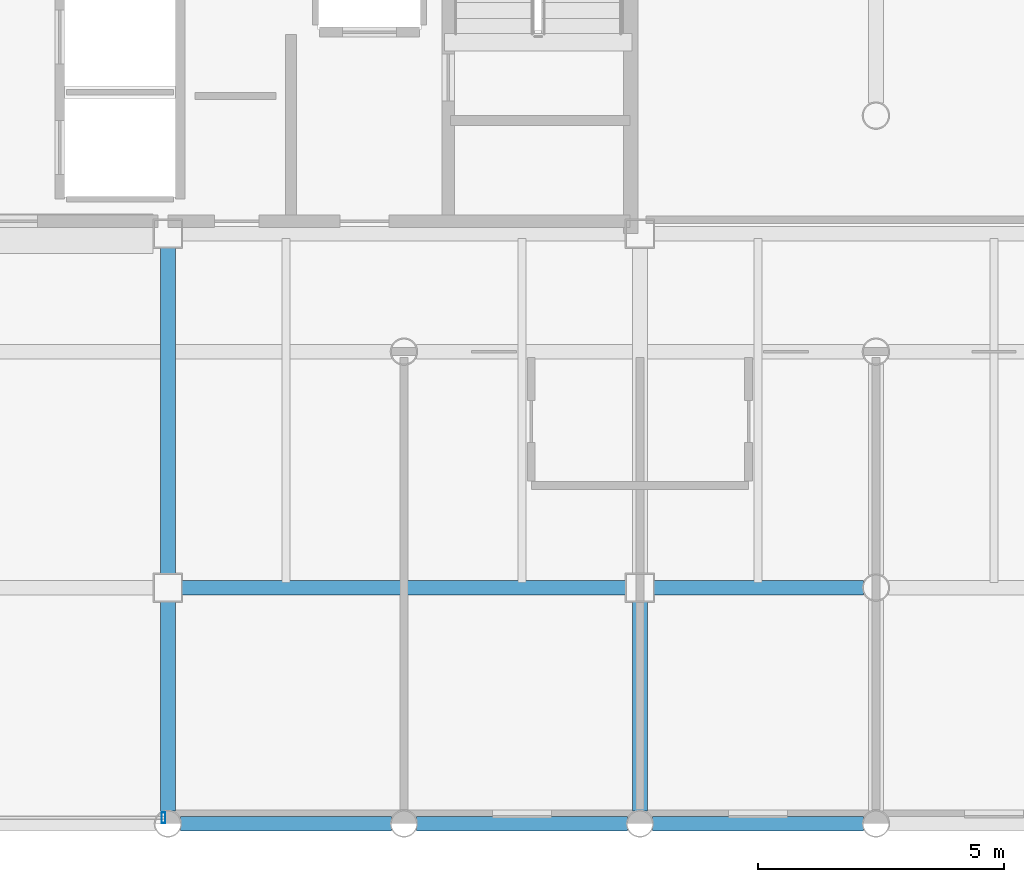
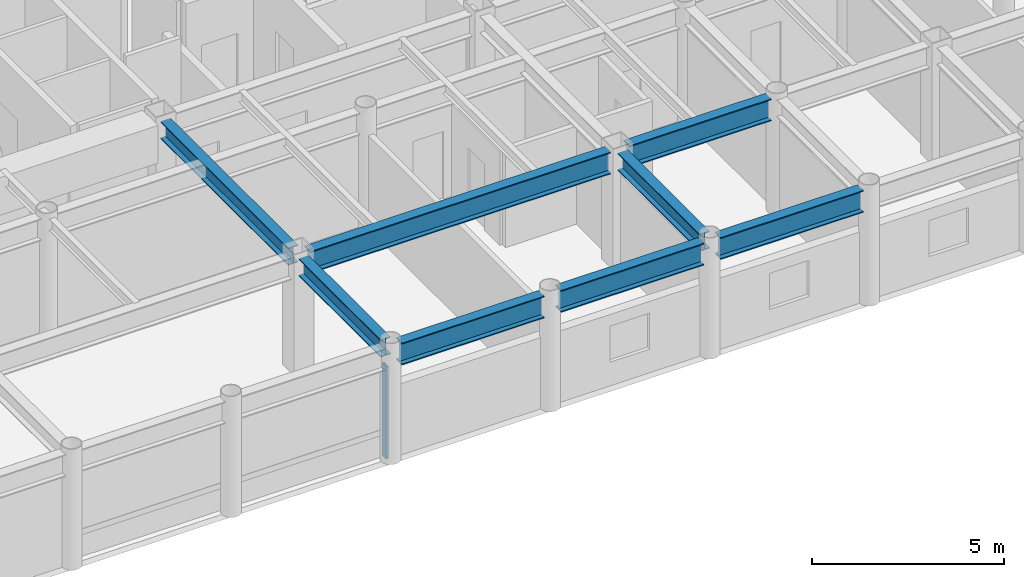
# One storey, part 8 of 22: 8 beams, 1 member, 1 element without a shape of its own.
"""IFC4 building model written with IfcOpenShell, lengths in metres."""

import ifcopenshell
import ifcopenshell.guid

model = None  # the IFC model being written
_history = None  # IfcOwnerHistory: only IFC2X3 demands one
_inside = {}  # id of a spatial element -> (the spatial element, [elements in it])
_under = {}  # id of a project, library or spatial element -> (it, [spatial elements below it])
_declared = {}  # id of a project -> (the project, [libraries it declares])
_typed = {}  # id of a type object -> (the type object, [elements of that type])
_made_of = {}  # id of a material, layer set ... -> (it, [elements and type objects made of it])


def new_model(schema):
    """Start an empty IFC model of exactly this schema.

    Asked for "IFC4X3", IfcOpenShell would pick the latest addendum, in which some entities
    have other attributes; the version numbers below select the first issue.
    IFC2X3 requires an IfcOwnerHistory on every rooted entity: one is made here for all.
    """
    global model, _history
    if schema == "IFC4X3":
        model = ifcopenshell.file(schema_version=(4, 3, 0, 0))
    else:
        model = ifcopenshell.file(schema=schema)
    _inside.clear()
    _under.clear()
    _declared.clear()
    _typed.clear()
    _made_of.clear()
    _history = None
    if model.schema == "IFC2X3":
        org = make("IfcOrganization", Name="unknown")
        user = make(
            "IfcPersonAndOrganization",
            ThePerson=make("IfcPerson", FamilyName="unknown"),
            TheOrganization=org,
        )
        app = make(
            "IfcApplication",
            ApplicationDeveloper=org,
            Version="unknown",
            ApplicationFullName="unknown",
            ApplicationIdentifier="unknown",
        )
        _history = make(
            "IfcOwnerHistory",
            OwningUser=user,
            OwningApplication=app,
            ChangeAction="ADDED",
            CreationDate=0,
        )
    return model


def make(cls, **values):
    """One entity of the class cls with the attributes given. An attribute that is None is left unset."""
    return model.create_entity(
        cls, **{name: value for name, value in values.items() if value is not None}
    )


def rooted(cls, **values):
    """An entity with a GlobalId (a new one), such as an element, a storey or a relation."""
    return make(cls, GlobalId=ifcopenshell.guid.new(), OwnerHistory=_history, **values)


def si_unit(unit_type, name, prefix=None):
    """IfcSIUnit, for example si_unit("LENGTHUNIT", "METRE", prefix="MILLI")."""
    return make("IfcSIUnit", UnitType=unit_type, Prefix=prefix, Name=name)


def assignment(units):
    """IfcUnitAssignment: the units of a project."""
    return None if units is None else make("IfcUnitAssignment", Units=units)


def point(xyz):
    """IfcCartesianPoint."""
    return None if xyz is None else make("IfcCartesianPoint", Coordinates=xyz)


def direction(xyz):
    """IfcDirection."""
    return None if xyz is None else make("IfcDirection", DirectionRatios=xyz)


def frame(location, z_axis=None, x_axis=None):
    """IfcAxis2Placement3D, a coordinate frame: its origin and axes. An axis left out is left unset."""
    return make(
        "IfcAxis2Placement3D",
        Location=point(location),
        Axis=direction(z_axis),
        RefDirection=direction(x_axis),
    )


def frame_2d(location, x_axis=None):
    """IfcAxis2Placement2D, a coordinate frame in the plane: its origin and x axis."""
    return make(
        "IfcAxis2Placement2D", Location=point(location), RefDirection=direction(x_axis)
    )


def origin():
    """The frame at (0, 0, 0) with its axes left unset."""
    return frame((0.0, 0.0, 0.0))


def origin_2d():
    """The frame at (0, 0) in the plane with its x axis left unset."""
    return frame_2d((0.0, 0.0))


def place(relative_to, where):
    """IfcLocalPlacement: puts the frame where relative to a parent placement (None: the world)."""
    return make(
        "IfcLocalPlacement", PlacementRelTo=relative_to, RelativePlacement=where
    )


def context(
    kind, dimensions, precision=None, world=None, true_north=None, identifier=None
):
    """IfcGeometricRepresentationContext, for example the 3D "Model" context."""
    return make(
        "IfcGeometricRepresentationContext",
        ContextIdentifier=identifier,
        ContextType=kind,
        CoordinateSpaceDimension=dimensions,
        Precision=precision,
        WorldCoordinateSystem=world,
        TrueNorth=true_north,
    )


def subcontext(parent, identifier, kind, view, scale=None):
    """IfcGeometricRepresentationSubContext, for example "Body" below "Model"."""
    return make(
        "IfcGeometricRepresentationSubContext",
        ContextIdentifier=identifier,
        ContextType=kind,
        ParentContext=parent,
        TargetScale=scale,
        TargetView=view,
    )


def project(units=None, contexts=None):
    """IfcProject with its units and contexts."""
    return rooted(
        "IfcProject",
        Name="project",
        RepresentationContexts=contexts,
        UnitsInContext=assignment(units),
    )


def spatial(cls, under=None, at=None, **own):
    """A site, building, storey or space (cls), placed at a placement, below another one or the project."""
    s = rooted(cls, ObjectPlacement=at, **own)
    if under is not None:
        _under.setdefault(under.id(), (under, []))[1].append(s)
    return s


def profile(cls, at=None, kind="AREA", **sizes):
    """A parametric profile (cls). Its sizes go by their IFC names, for example OverallWidth=200.0."""
    return make(cls, ProfileType=kind, Position=at, **sizes)


def hollow_rectangle(**sizes):
    """IfcRectangleHollowProfileDef."""
    return profile("IfcRectangleHollowProfileDef", **sizes)


def i_section(**sizes):
    """IfcIShapeProfileDef."""
    return profile("IfcIShapeProfileDef", **sizes)


def extrude(swept, where, along, depth):
    """IfcExtrudedAreaSolid: the profile swept, set in the frame where, extruded along a direction by depth."""
    return make(
        "IfcExtrudedAreaSolid",
        SweptArea=swept,
        Position=where,
        ExtrudedDirection=direction(along),
        Depth=depth,
    )


def shape(context_of_items, identifier, shape_type, items):
    """IfcShapeRepresentation: the items that make up one representation, for example the "Body"."""
    return make(
        "IfcShapeRepresentation",
        ContextOfItems=context_of_items,
        RepresentationIdentifier=identifier,
        RepresentationType=shape_type,
        Items=items,
    )


def material(Name=None, Category=None):
    """IfcMaterial."""
    return make("IfcMaterial", Name=Name, Category=Category)


def layer(
    of_material, thickness, ventilated=None, Name=None, Category=None, Priority=None
):
    """IfcMaterialLayer: one layer of a wall or slab, of a material (None: an air gap)."""
    return make(
        "IfcMaterialLayer",
        Material=of_material,
        LayerThickness=thickness,
        IsVentilated=ventilated,
        Name=Name,
        Category=Category,
        Priority=Priority,
    )


def layer_set(layers, Name=None):
    """IfcMaterialLayerSet."""
    return make("IfcMaterialLayerSet", MaterialLayers=layers, LayerSetName=Name)


def material_profile(
    of_material, cross_section, Name=None, Category=None, Priority=None
):
    """IfcMaterialProfile: a cross section and its material."""
    return make(
        "IfcMaterialProfile",
        Name=Name,
        Material=of_material,
        Profile=cross_section,
        Priority=Priority,
        Category=Category,
    )


def profile_set(profiles, Name=None, composite=None):
    """IfcMaterialProfileSet."""
    return make(
        "IfcMaterialProfileSet",
        Name=Name,
        MaterialProfiles=profiles,
        CompositeProfile=composite,
    )


def made_of(thing, what):
    """Note that an element or type object is made of a material, layer set ...; save() writes the relation."""
    if what is not None:
        _made_of.setdefault(what.id(), (what, []))[1].append(thing)
    return thing


def type_object(cls, material=None, **own):
    """A type object (cls), such as IfcWallType, which elements share."""
    return made_of(rooted(cls, **own), material)


def element(
    cls,
    number,
    at=None,
    inside=None,
    cuts=None,
    type_object=None,
    material=None,
    context=None,
    identifier="Body",
    shape_type=None,
    held_by="IfcProductDefinitionShape",
    body=None,
    shapes=None,
    **own,
):
    """One element of the class cls, such as IfcWall. Its Tag is "e" and its number.

    at: its placement. inside: the storey or other place that contains it. cuts: it is an
    opening in that element (IfcRelVoidsElement). A single representation is given by context,
    identifier, shape_type and body (its items); several are given by shapes. held_by: the class
    of the entity that holds the representations. save() writes the other relations.
    """
    e = rooted(cls, Tag="e%d" % number, ObjectPlacement=at, **own)
    if body is not None:
        shapes = [shape(context, identifier, shape_type, body)]
    if shapes is not None:
        e.Representation = make(held_by, Representations=shapes)
    if inside is not None:
        _inside.setdefault(inside.id(), (inside, []))[1].append(e)
    if cuts is not None:
        rooted(
            "IfcRelVoidsElement", RelatingBuildingElement=cuts, RelatedOpeningElement=e
        )
    if type_object is not None:
        _typed.setdefault(type_object.id(), (type_object, []))[1].append(e)
    return made_of(e, material)


def aggregate(whole, parts):
    """IfcRelAggregates: a whole, such as a stair, and the parts it consists of."""
    return rooted("IfcRelAggregates", RelatingObject=whole, RelatedObjects=parts)


def save(model, path):
    """Write the relations noted so far, then the file.

    IfcRelAggregates (storeys below a building ...), IfcRelContainedInSpatialStructure (elements
    in a storey), IfcRelDefinesByType, IfcRelAssociatesMaterial and IfcRelDeclares: one each for
    every whole, place, type object, material and project.
    """
    for whole, parts in _under.values():
        aggregate(whole, parts)
    for where, things in _inside.values():
        rooted(
            "IfcRelContainedInSpatialStructure",
            RelatedElements=things,
            RelatingStructure=where,
        )
    for kind, things in _typed.values():
        rooted("IfcRelDefinesByType", RelatedObjects=things, RelatingType=kind)
    for what, things in _made_of.values():
        rooted("IfcRelAssociatesMaterial", RelatedObjects=things, RelatingMaterial=what)
    for by, libraries in _declared.values():
        rooted("IfcRelDeclares", RelatingContext=by, RelatedDefinitions=libraries)
    model.write(path)


model = new_model("IFC4")

# Units and contexts
model_context = context("Model", 3, precision=1e-05, world=origin(), true_north=direction((0.0, 1.0)))
body_context = subcontext(model_context, "Body", "Model", "MODEL_VIEW")
ifc_project = project(units=[si_unit("LENGTHUNIT", "METRE"), si_unit("AREAUNIT", "SQUARE_METRE"), si_unit("VOLUMEUNIT", "CUBIC_METRE"), si_unit("PLANEANGLEUNIT", "RADIAN"), si_unit("MASSUNIT", "GRAM", prefix="KILO")], contexts=[model_context])

# Site, building, storey
site_placement = place(None, origin())
site = spatial("IfcSite", under=ifc_project, at=site_placement, CompositionType="ELEMENT")
building_placement = place(site_placement, origin())
building = spatial("IfcBuilding", under=site, at=building_placement, Name="Kallvorn Hotel Tower", CompositionType="ELEMENT")
storey_placement = place(building_placement, frame((0.0, 0.0, 226.14990234375)))
storey = spatial("IfcBuildingStorey", under=building, at=storey_placement, Name="L56", CompositionType="ELEMENT", Elevation=226.14990234375)

# Beams
ifc_material_1 = material(Name="Structural steel S355JR", Category="steel")
ifc_material_profile_1 = material_profile(ifc_material_1, i_section(OverallWidth=0.300048828125, OverallDepth=0.550048828125, WebThickness=0.014892578125, FlangeThickness=0.029052734375, at=origin_2d()), Name="HE 550 B")
ifc_profile_set_1 = profile_set([ifc_material_profile_1], Name="Structural steel S355JR")
beam_type_1 = type_object("IfcBeamType", Name="BM_HE550B", PredefinedType="SPANDREL", material=ifc_profile_set_1)
beam_1_placement = place(storey_placement, frame((4.800048828125, -18.945556640625, 3.39501953125), z_axis=(0.0, 1.0, 0.0), x_axis=(-1.0, 0.0, 0.0)))
element("IfcBeam", 1, at=beam_1_placement, inside=storey, type_object=beam_type_1, Name="L57 Primary Y-Girder 113", PredefinedType="SPANDREL", context=body_context, shape_type="SweptSolid", body=[
    extrude(i_section(OverallWidth=0.300048828125, OverallDepth=0.550048828125, WebThickness=0.014892578125, FlangeThickness=0.029052734375, at=origin_2d()), origin(), (0.0, 0.0, 1.0), 4.2705078125),
])
beam_2_placement = place(storey_placement, frame((4.800048828125, -14.125, 3.39501953125), z_axis=(0.0, 1.0, 0.0), x_axis=(-1.0, 0.0, 0.0)))
element("IfcBeam", 2, at=beam_2_placement, inside=storey, type_object=beam_type_1, Name="L57 Primary Y-Girder 114", PredefinedType="SPANDREL", context=body_context, shape_type="SweptSolid", body=[
    extrude(i_section(OverallWidth=0.300048828125, OverallDepth=0.550048828125, WebThickness=0.014892578125, FlangeThickness=0.029052734375, at=origin_2d()), origin(), (0.0, 0.0, 1.0), 6.64990234375),
])
beam_3_placement = place(storey_placement, frame((14.39990234375, -18.945556640625, 3.39501953125), z_axis=(0.0, 1.0, 0.0), x_axis=(-1.0, 0.0, 0.0)))
element("IfcBeam", 3, at=beam_3_placement, inside=storey, type_object=beam_type_1, Name="L57 Primary Y-Girder 121", PredefinedType="SPANDREL", context=body_context, shape_type="SweptSolid", body=[
    extrude(i_section(OverallWidth=0.300048828125, OverallDepth=0.550048828125, WebThickness=0.014892578125, FlangeThickness=0.029052734375, at=origin_2d()), origin(), (0.0, 0.0, 1.0), 4.2705078125),
])
ifc_material_2 = material(Name="Structural steel S355JR", Category="steel")
ifc_material_profile_2 = material_profile(ifc_material_2, i_section(OverallWidth=0.300048828125, OverallDepth=0.699951171875, WebThickness=0.01708984375, FlangeThickness=0.031982421875, at=origin_2d()), Name="HE 700 B")
ifc_profile_set_2 = profile_set([ifc_material_profile_2], Name="Structural steel S355JR")
beam_type_2 = type_object("IfcBeamType", Name="BM_HE700B", PredefinedType="BEAM", material=ifc_profile_set_2)
for number, where, z_axis, x_axis, name in (
    (4, (5.054443359375, -19.199951171875, 3.320068359375), (1.0, 0.0, 0.0), (0.0, 1.0, 0.0), "L57 Primary X-Girder 08"),
    (5, (9.8544921875, -19.199951171875, 3.320068359375), (1.0, 0.0, 0.0), (0.0, 1.0, 0.0), "L57 Primary X-Girder 09"),
    (6, (14.654541015625, -19.199951171875, 3.320068359375), (1.0, 0.0, 0.0), (0.0, 1.0, 0.0), "L57 Primary X-Girder 10"),
):
    element("IfcBeam", number, at=place(storey_placement, frame(where, z_axis=z_axis, x_axis=x_axis)), inside=storey, type_object=beam_type_2, Name=name, PredefinedType="BEAM", context=body_context, shape_type="SweptSolid", body=[
        extrude(i_section(OverallWidth=0.300048828125, OverallDepth=0.699951171875, WebThickness=0.01708984375, FlangeThickness=0.031982421875, at=origin_2d()), origin(), (0.0, 0.0, 1.0), 4.291015625),
    ])
beam_4_placement = place(storey_placement, frame((5.074951171875, -14.39990234375, 3.320068359375), z_axis=(1.0, 0.0, 0.0), x_axis=(0.0, 1.0, 0.0)))
element("IfcBeam", 7, at=beam_4_placement, inside=storey, type_object=beam_type_2, Name="L57 Primary X-Girder 18", PredefinedType="BEAM", context=body_context, shape_type="SweptSolid", body=[
    extrude(i_section(OverallWidth=0.300048828125, OverallDepth=0.699951171875, WebThickness=0.01708984375, FlangeThickness=0.031982421875, at=origin_2d()), origin(), (0.0, 0.0, 1.0), 9.050048828125),
])
beam_5_placement = place(storey_placement, frame((14.675048828125, -14.39990234375, 3.320068359375), z_axis=(1.0, 0.0, 0.0), x_axis=(0.0, 1.0, 0.0)))
element("IfcBeam", 8, at=beam_5_placement, inside=storey, type_object=beam_type_2, Name="L57 Primary X-Girder 19", PredefinedType="BEAM", context=body_context, shape_type="SweptSolid", body=[
    extrude(i_section(OverallWidth=0.300048828125, OverallDepth=0.699951171875, WebThickness=0.01708984375, FlangeThickness=0.031982421875, at=origin_2d()), origin(), (0.0, 0.0, 1.0), 4.2705078125),
])

# Curtain wall, member
ifc_material_3 = material(Name="Thermally broken black-anodised aluminium AA 6063-T6", Category="aluminium")
ifc_layer = layer(ifc_material_3, 0.22998046875)
ifc_layer_set = layer_set([ifc_layer], Name="CW_SYS_5_HOTEL_HIGH")
curtain_wall_type = type_object("IfcCurtainWallType", Name="CW_SYS_5_HOTEL_HIGH", PredefinedType="USERDEFINED", material=ifc_layer_set)
curtain_wall_placement = place(storey_placement, origin())
curtain_wall = element("IfcCurtainWall", 9, at=curtain_wall_placement, inside=storey, type_object=curtain_wall_type, Name="L56 Dark-Glass Curtain Wall CW-L56-SC", ObjectType="UNITISED CURTAIN WALL", PredefinedType="USERDEFINED")
ifc_material_4 = material(Name="Thermally broken black-anodised aluminium AA 6063-T6", Category="aluminium")
ifc_material_profile_3 = material_profile(ifc_material_4, hollow_rectangle(XDim=0.080078125, YDim=0.219970703125, WallThickness=0.0048828125, at=origin_2d()), Name="MUL 220x80")
ifc_profile_set_3 = profile_set([ifc_material_profile_3], Name="Thermally broken black-anodised aluminium AA 6063-T6")
member_type = type_object("IfcMemberType", Name="CW_MULLION_220x80", PredefinedType="MULLION", material=ifc_profile_set_3)
member_placement = place(storey_placement, frame((4.7099609375, -19.080078125, 0.02001953125), z_axis=(0.0, 0.0, 1.0), x_axis=(1.0, 0.0, 0.0)))
member = element("IfcMember", 10, at=member_placement, type_object=member_type, Name="CW-L56-SC Mullion 02", PredefinedType="MULLION", context=body_context, shape_type="SweptSolid", body=[
    extrude(hollow_rectangle(XDim=0.080078125, YDim=0.219970703125, WallThickness=0.0048828125, at=origin_2d()), origin(), (0.0, 0.0, 1.0), 2.93017578125),
])
aggregate(curtain_wall, [member])

save(model, "model.ifc")
